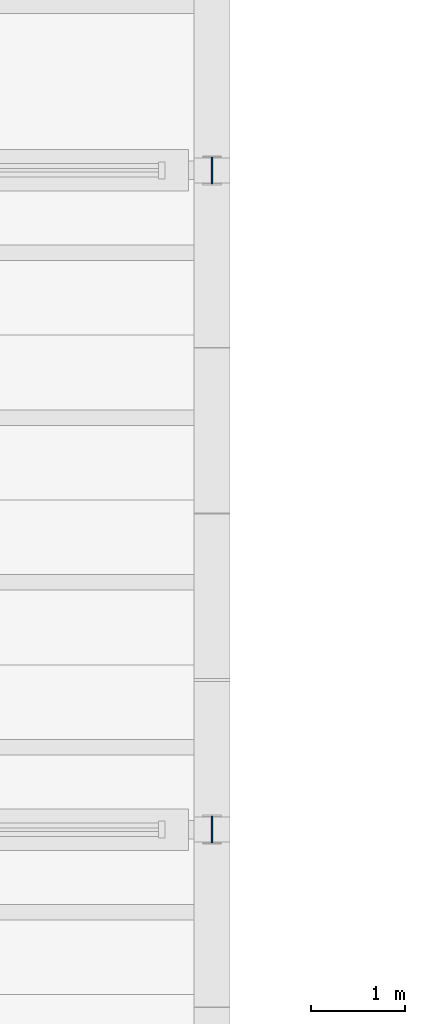
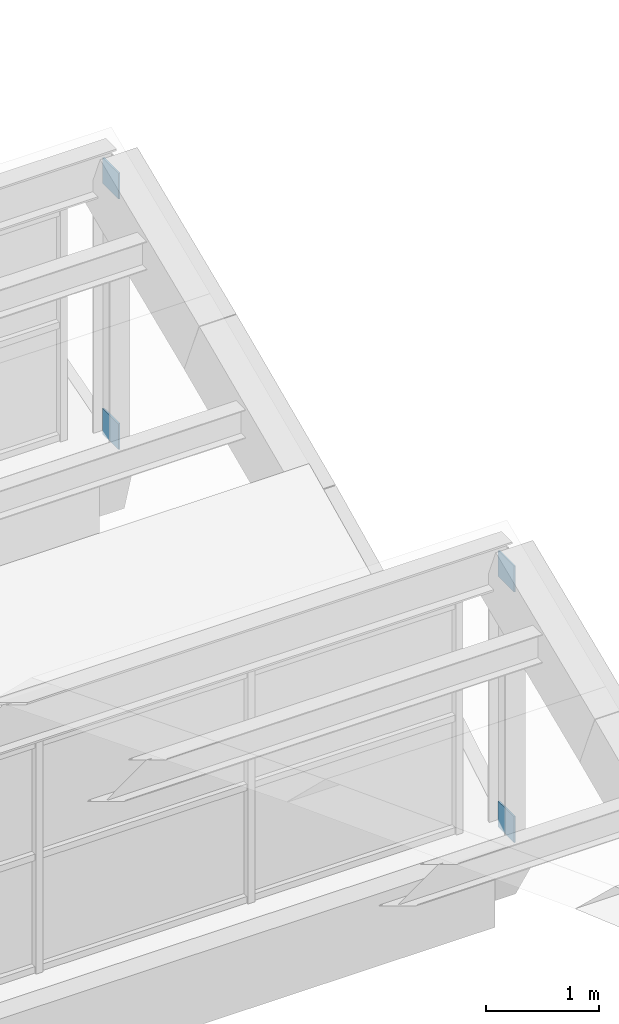
# One storey, part 80 of 92: 4 plates.
"""IFC4 building model written with IfcOpenShell, lengths in metres."""

from ifc_helpers import new_model, si_unit, direction, frame, origin, origin_2d, place, context, subcontext, project, spatial, rectangle, extrude, material, layer, layer_set, type_object, element, save


model = new_model("IFC4")

# Units and contexts
model_context = context("Model", 3, precision=1e-05, world=origin(), true_north=direction((0.0, 1.0)))
body_context = subcontext(model_context, "Body", "Model", "MODEL_VIEW")
ifc_project = project(units=[si_unit("LENGTHUNIT", "METRE"), si_unit("AREAUNIT", "SQUARE_METRE"), si_unit("VOLUMEUNIT", "CUBIC_METRE"), si_unit("PLANEANGLEUNIT", "RADIAN"), si_unit("MASSUNIT", "GRAM", prefix="KILO")], contexts=[model_context])

# Site, building, storey
site_placement = place(None, origin())
site = spatial("IfcSite", under=ifc_project, at=site_placement, CompositionType="ELEMENT")
building_placement = place(site_placement, origin())
building = spatial("IfcBuilding", under=site, at=building_placement, Name="Ciguamira Faculty of Natural Sciences", CompositionType="ELEMENT")
storey_placement = place(building_placement, frame((0.0, 0.0, 16.800048828125)))
storey = spatial("IfcBuildingStorey", under=building, at=storey_placement, Name="L04", CompositionType="ELEMENT", Elevation=16.800048828125)

# Plates
ifc_material = material(Name="Steel ASTM A572 Grade 50", Category="steel")
ifc_layer = layer(ifc_material, 0.01611328125, Name="Steel ASTM A572 Grade 50")
ifc_layer_set = layer_set([ifc_layer], Name="Steel ASTM A572 Grade 50")
plate_type = type_object("IfcPlateType", Name="GussetPlate_EP-01", PredefinedType="SHEET", material=ifc_layer_set)
for number, where, z_axis, x_axis, name in (
    (1, (116.699951171875, 52.0, 0.0), (0.0, 0.0, 1.0), (1.0, 0.0, 0.0), "V4 wave 2 post connection plate 117-1"),
    (2, (116.699951171875, 52.0, 2.7060546875), (0.0, 0.0, 1.0), (1.0, 0.0, 0.0), "V4 wave 2 post connection plate 117-2"),
    (3, (116.699951171875, 59.0, 0.0), (0.0, 0.0, 1.0), (1.0, 0.0, 0.0), "V4 wave 3 post connection plate 117-1"),
    (4, (116.699951171875, 59.0, 2.7060546875), (0.0, 0.0, 1.0), (1.0, 0.0, 0.0), "V4 wave 3 post connection plate 117-2"),
):
    element("IfcPlate", number, at=place(storey_placement, frame(where, z_axis=z_axis, x_axis=x_axis)), inside=storey, type_object=plate_type, Name=name, PredefinedType="SHEET", context=body_context, shape_type="SweptSolid", body=[
        extrude(rectangle(XDim=0.01611328125, YDim=0.280029296875, at=origin_2d()), origin(), (0.0, 0.0, 1.0), 0.280029296875),
    ])

save(model, "model.ifc")
